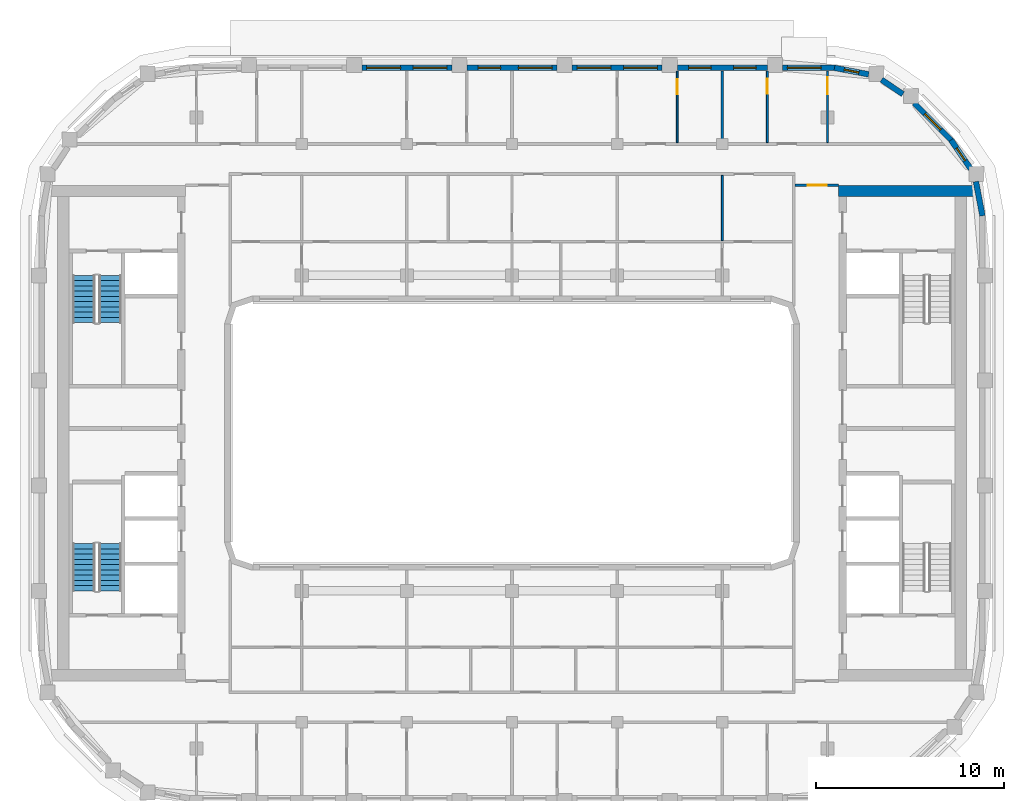
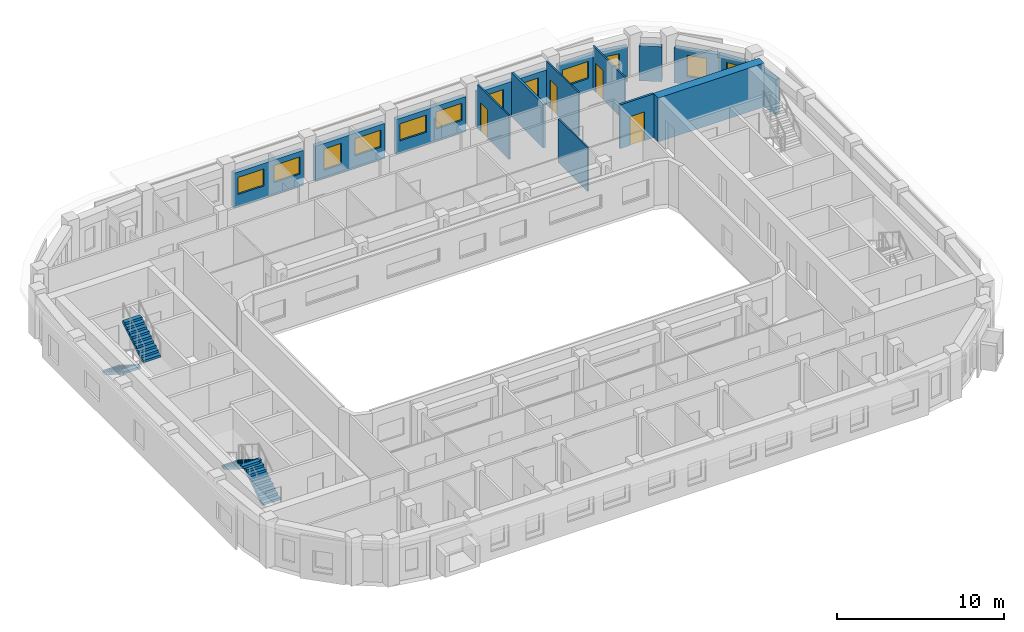
# One storey, part 8 of 16: 17 walls, 12 windows, 4 doors, 4 stair flights, 16 openings, 2 elements without a shape of their own.
"""IFC4 building model written with IfcOpenShell, lengths in metres."""

from ifc_helpers import new_model, si_unit, direction, frame, frame_2d, origin, place, context, subcontext, project, spatial, polyline, rectangle, outline, extrude, material, layer, layer_set, type_object, element, fill, aggregate, save


model = new_model("IFC4")

# Units and contexts
model_context = context("Model", 3, precision=1e-05, world=origin(), true_north=direction((0.0, 1.0)))
body_context = subcontext(model_context, "Body", "Model", "MODEL_VIEW")
ifc_project = project(units=[si_unit("LENGTHUNIT", "METRE"), si_unit("AREAUNIT", "SQUARE_METRE"), si_unit("VOLUMEUNIT", "CUBIC_METRE"), si_unit("PLANEANGLEUNIT", "RADIAN"), si_unit("MASSUNIT", "GRAM", prefix="KILO")], contexts=[model_context])

# Site, building, storey
site_placement = place(None, origin())
site = spatial("IfcSite", under=ifc_project, at=site_placement, CompositionType="ELEMENT")
building_placement = place(site_placement, origin())
building = spatial("IfcBuilding", under=site, at=building_placement, Name="Kiln Ring Residences", CompositionType="ELEMENT")
storey_placement = place(building_placement, frame((0.0, 0.0, 255.699951171875)))
storey = spatial("IfcBuildingStorey", under=building, at=storey_placement, Name="L66", CompositionType="ELEMENT", Elevation=255.699951171875)

# Walls
ifc_material_1 = material(Name="Concrete C60/75", Category="concrete")
ifc_layer_1 = layer(ifc_material_1, 0.60009765625)
ifc_layer_set_1 = layer_set([ifc_layer_1], Name="CORE-WALL-RC600")
wall_type_1 = type_object("IfcWallType", Name="CORE-WALL-RC600", PredefinedType="SHEAR", material=ifc_layer_set_1)
wall_1_placement = place(storey_placement, frame((17.39990234375, 12.89990234375, 0.0), z_axis=(0.0, 0.0, 1.0), x_axis=(1.0, 0.0, 0.0)))
element("IfcWall", 1, at=wall_1_placement, inside=storey, type_object=wall_type_1, Name="Core wall east L66 4", PredefinedType="SHEAR", context=body_context, shape_type="SweptSolid", body=[
    extrude(rectangle(XDim=7.320068359375, YDim=0.60009765625, at=frame_2d((3.66015625, 0.0))), origin(), (0.0, 0.0, 1.0), 3.199951171875),
])
ifc_material_2 = material(Name="Brick masonry, dark clay brick", Category="masonry")
ifc_layer_2 = layer(ifc_material_2, 0.300048828125)
ifc_layer_set_2 = layer_set([ifc_layer_2], Name="EW-300 BRICK WALL")
wall_type_2 = type_object("IfcWallType", Name="EW-300 BRICK WALL", PredefinedType="SOLIDWALL", material=ifc_layer_set_2)
wall_2_placement = place(storey_placement, frame((25.052734375, 11.57177734375, 0.0), z_axis=(0.0, 0.0, 1.0), x_axis=(-0.187408222942, 0.982282117303, 0.0)))
element("IfcWall", 2, at=wall_2_placement, inside=storey, type_object=wall_type_2, Name="Facade wall L66 21", PredefinedType="SOLIDWALL", context=body_context, shape_type="SweptSolid", body=[
    extrude(rectangle(XDim=1.8564453125, YDim=0.300048828125, at=frame_2d((0.92822265625, 0.0))), origin(), (0.0, 0.0, 1.0), 2.550048828125),
])

# Wall, opening, window
wall_3_placement = place(storey_placement, frame((24.422119140625, 14.07763671875, 0.0), z_axis=(0.0, 0.0, 1.0), x_axis=(-0.562054549384, 0.827100165347, 0.0)))
wall_3 = element("IfcWall", 3, at=wall_3_placement, inside=storey, type_object=wall_type_2, Name="Facade wall L66 22", PredefinedType="SOLIDWALL", context=body_context, shape_type="SweptSolid", body=[
    extrude(rectangle(XDim=1.85595703125, YDim=0.300048828125, at=frame_2d((0.927978515625, 0.0))), origin(), (0.0, 0.0, 1.0), 2.550048828125),
])
opening_1_placement = place(wall_3_placement, frame((0.528076171875, 0.0, 0.60009765625)))
opening_1 = element("IfcOpeningElement", 4, at=opening_1_placement, cuts=wall_3, Name="Opening W5", PredefinedType="OPENING", context=body_context, shape_type="SweptSolid", body=[
    extrude(rectangle(XDim=0.800048828125, YDim=1.550048828125, at=frame_2d((0.39990234375, 0.77490234375))), frame((0.0, 0.159912109375, 0.0), z_axis=(0.0, -1.0, 0.0), x_axis=(1.0, 0.0, 0.0)), (0.0, 0.0, 1.0), 0.320068359375),
])
ifc_material_3 = material(Name="Aluminium frame with double glazing", Category="aluminium")
window_type_1 = type_object("IfcWindowType", Name="WINDOW 800 x 1550", PartitioningType="SINGLE_PANEL", PredefinedType="WINDOW", material=ifc_material_3)
window_1_placement = place(opening_1_placement, origin())
window_1 = element("IfcWindow", 5, at=window_1_placement, inside=storey, type_object=window_type_1, Name="Window L66 18", OverallHeight=1.550048828125, OverallWidth=0.800048828125, PartitioningType="SINGLE_PANEL", PredefinedType="WINDOW", context=body_context, shape_type="SweptSolid", body=[
    extrude(rectangle(XDim=0.800048828125, YDim=1.550048828125, at=frame_2d((0.39990234375, 0.77490234375))), frame((0.0, 0.030029296875, 0.0), z_axis=(0.0, -1.0, 0.0), x_axis=(1.0, 0.0, 0.0)), (0.0, 0.0, 1.0), 0.06005859375),
])
fill(opening_1, window_1)

wall_4_placement = place(storey_placement, frame((23.39697265625, 15.591064453125, 0.0), z_axis=(0.0, 0.0, 1.0), x_axis=(-0.707150377276, 0.707063182409, 0.0)))
wall_4 = element("IfcWall", 6, at=wall_4_placement, inside=storey, type_object=wall_type_2, Name="Facade wall L66 23", PredefinedType="SOLIDWALL", context=body_context, shape_type="SweptSolid", body=[
    extrude(rectangle(XDim=2.800048828125, YDim=0.300048828125, at=frame_2d((1.39990234375, 0.0))), origin(), (0.0, 0.0, 1.0), 2.550048828125),
])
opening_2_placement = place(wall_4_placement, frame((0.800048828125, 0.0, 0.60009765625)))
opening_2 = element("IfcOpeningElement", 7, at=opening_2_placement, cuts=wall_4, Name="Opening W1", PredefinedType="OPENING", context=body_context, shape_type="SweptSolid", body=[
    extrude(rectangle(XDim=1.199951171875, YDim=1.550048828125, at=frame_2d((0.60009765625, 0.77490234375))), frame((0.0, 0.159912109375, 0.0), z_axis=(0.0, -1.0, 0.0), x_axis=(1.0, 0.0, 0.0)), (0.0, 0.0, 1.0), 0.320068359375),
])
ifc_material_4 = material(Name="Aluminium frame with double glazing", Category="aluminium")
window_type_2 = type_object("IfcWindowType", Name="WINDOW 1200 x 1550", PartitioningType="SINGLE_PANEL", PredefinedType="WINDOW", material=ifc_material_4)
window_2_placement = place(opening_2_placement, origin())
window_2 = element("IfcWindow", 8, at=window_2_placement, inside=storey, type_object=window_type_2, Name="Window L66 19", OverallHeight=1.550048828125, OverallWidth=1.199951171875, PartitioningType="SINGLE_PANEL", PredefinedType="WINDOW", context=body_context, shape_type="SweptSolid", body=[
    extrude(rectangle(XDim=1.199951171875, YDim=1.550048828125, at=frame_2d((0.60009765625, 0.77490234375))), frame((0.0, 0.030029296875, 0.0), z_axis=(0.0, -1.0, 0.0), x_axis=(1.0, 0.0, 0.0)), (0.0, 0.0, 1.0), 0.06005859375),
])
fill(opening_2, window_2)

# Wall
wall_5_placement = place(storey_placement, frame((20.816650390625, 18.048095703125, 0.0), z_axis=(0.0, 0.0, 1.0), x_axis=(-0.827025410886, 0.562164539747, 0.0)))
element("IfcWall", 9, at=wall_5_placement, inside=storey, type_object=wall_type_2, Name="Facade wall L66 24", PredefinedType="SOLIDWALL", context=body_context, shape_type="SweptSolid", body=[
    extrude(rectangle(XDim=1.377197265625, YDim=0.300048828125, at=frame_2d((0.6884765625, 0.0))), origin(), (0.0, 0.0, 1.0), 2.550048828125),
])

# Wall, opening, window
wall_6_placement = place(storey_placement, frame((18.9951171875, 19.10498046875, 0.0), z_axis=(0.0, 0.0, 1.0), x_axis=(-0.982301706131, 0.187305520826, 0.0)))
wall_6 = element("IfcWall", 10, at=wall_6_placement, inside=storey, type_object=wall_type_2, Name="Facade wall L66 25", PredefinedType="SOLIDWALL", context=body_context, shape_type="SweptSolid", body=[
    extrude(rectangle(XDim=1.856201171875, YDim=0.300048828125, at=frame_2d((0.92822265625, 0.0))), origin(), (0.0, 0.0, 1.0), 2.550048828125),
])
opening_3_placement = place(wall_6_placement, frame((0.528076171875, 0.0, 0.60009765625)))
opening_3 = element("IfcOpeningElement", 11, at=opening_3_placement, cuts=wall_6, Name="Opening W5", PredefinedType="OPENING", context=body_context, shape_type="SweptSolid", body=[
    extrude(rectangle(XDim=0.800048828125, YDim=1.550048828125, at=frame_2d((0.39990234375, 0.77490234375))), frame((0.0, 0.159912109375, 0.0), z_axis=(0.0, -1.0, 0.0), x_axis=(1.0, 0.0, 0.0)), (0.0, 0.0, 1.0), 0.320068359375),
])
window_3_placement = place(opening_3_placement, origin())
window_3 = element("IfcWindow", 12, at=window_3_placement, inside=storey, type_object=window_type_1, Name="Window L66 20", OverallHeight=1.550048828125, OverallWidth=0.800048828125, PartitioningType="SINGLE_PANEL", PredefinedType="WINDOW", context=body_context, shape_type="SweptSolid", body=[
    extrude(rectangle(XDim=0.800048828125, YDim=1.550048828125, at=frame_2d((0.39990234375, 0.77490234375))), frame((0.0, 0.030029296875, 0.0), z_axis=(0.0, -1.0, 0.0), x_axis=(1.0, 0.0, 0.0)), (0.0, 0.0, 1.0), 0.06005859375),
])
fill(opening_3, window_3)

wall_7_placement = place(storey_placement, frame((17.199951171875, 19.449951171875, 0.0), z_axis=(0.0, 0.0, 1.0), x_axis=(-1.0, 0.0, 0.0)))
wall_7 = element("IfcWall", 13, at=wall_7_placement, inside=storey, type_object=wall_type_2, Name="Facade wall L66 26", PredefinedType="SOLIDWALL", context=body_context, shape_type="SweptSolid", body=[
    extrude(rectangle(XDim=2.800048828125, YDim=0.300048828125, at=frame_2d((1.39990234375, 0.0))), origin(), (0.0, 0.0, 1.0), 2.550048828125),
])
opening_4_placement = place(wall_7_placement, frame((0.737548828125, 0.0, 0.89990234375)))
opening_4 = element("IfcOpeningElement", 14, at=opening_4_placement, cuts=wall_7, Name="Opening W2", PredefinedType="OPENING", context=body_context, shape_type="SweptSolid", body=[
    extrude(rectangle(XDim=1.800048828125, YDim=1.25, at=frame_2d((0.89990234375, 0.625))), frame((0.0, 0.159912109375, 0.0), z_axis=(0.0, -1.0, 0.0), x_axis=(1.0, 0.0, 0.0)), (0.0, 0.0, 1.0), 0.320068359375),
])
ifc_material_5 = material(Name="Aluminium frame with double glazing", Category="aluminium")
window_type_3 = type_object("IfcWindowType", Name="WINDOW 1800 x 1250", PartitioningType="SINGLE_PANEL", PredefinedType="WINDOW", material=ifc_material_5)
window_4_placement = place(opening_4_placement, origin())
window_4 = element("IfcWindow", 15, at=window_4_placement, inside=storey, type_object=window_type_3, Name="Window L66 21", OverallHeight=1.25, OverallWidth=1.800048828125, PartitioningType="SINGLE_PANEL", PredefinedType="WINDOW", context=body_context, shape_type="SweptSolid", body=[
    extrude(rectangle(XDim=1.800048828125, YDim=1.25, at=frame_2d((0.89990234375, 0.625))), frame((0.0, 0.030029296875, 0.0), z_axis=(0.0, -1.0, 0.0), x_axis=(1.0, 0.0, 0.0)), (0.0, 0.0, 1.0), 0.06005859375),
])
fill(opening_4, window_4)

# Wall, openings, windows
wall_8_placement = place(storey_placement, frame((13.60009765625, 19.449951171875, 0.0), z_axis=(0.0, 0.0, 1.0), x_axis=(-1.0, 0.0, 0.0)))
wall_8 = element("IfcWall", 16, at=wall_8_placement, inside=storey, type_object=wall_type_2, Name="Facade wall L66 27", PredefinedType="SOLIDWALL", context=body_context, shape_type="SweptSolid", body=[
    extrude(rectangle(XDim=4.800048828125, YDim=0.300048828125, at=frame_2d((2.39990234375, 0.0))), origin(), (0.0, 0.0, 1.0), 2.550048828125),
])
opening_5_placement = place(wall_8_placement, frame((0.60009765625, 0.0, 0.60009765625)))
opening_5 = element("IfcOpeningElement", 17, at=opening_5_placement, cuts=wall_8, Name="Opening W1", PredefinedType="OPENING", context=body_context, shape_type="SweptSolid", body=[
    extrude(rectangle(XDim=1.199951171875, YDim=1.550048828125, at=frame_2d((0.60009765625, 0.77490234375))), frame((0.0, 0.159912109375, 0.0), z_axis=(0.0, -1.0, 0.0), x_axis=(1.0, 0.0, 0.0)), (0.0, 0.0, 1.0), 0.320068359375),
])
opening_6_placement = place(wall_8_placement, frame((3.0, 0.0, 0.60009765625)))
opening_6 = element("IfcOpeningElement", 18, at=opening_6_placement, cuts=wall_8, Name="Opening W1", PredefinedType="OPENING", context=body_context, shape_type="SweptSolid", body=[
    extrude(rectangle(XDim=1.199951171875, YDim=1.550048828125, at=frame_2d((0.60009765625, 0.77490234375))), frame((0.0, 0.159912109375, 0.0), z_axis=(0.0, -1.0, 0.0), x_axis=(1.0, 0.0, 0.0)), (0.0, 0.0, 1.0), 0.320068359375),
])
window_5_placement = place(opening_5_placement, origin())
window_5 = element("IfcWindow", 19, at=window_5_placement, inside=storey, type_object=window_type_2, Name="Window L66 22", OverallHeight=1.550048828125, OverallWidth=1.199951171875, PartitioningType="SINGLE_PANEL", PredefinedType="WINDOW", context=body_context, shape_type="SweptSolid", body=[
    extrude(rectangle(XDim=1.199951171875, YDim=1.550048828125, at=frame_2d((0.60009765625, 0.77490234375))), frame((0.0, 0.030029296875, 0.0), z_axis=(0.0, -1.0, 0.0), x_axis=(1.0, 0.0, 0.0)), (0.0, 0.0, 1.0), 0.06005859375),
])
fill(opening_5, window_5)
window_6_placement = place(opening_6_placement, origin())
window_6 = element("IfcWindow", 20, at=window_6_placement, inside=storey, type_object=window_type_2, Name="Window L66 23", OverallHeight=1.550048828125, OverallWidth=1.199951171875, PartitioningType="SINGLE_PANEL", PredefinedType="WINDOW", context=body_context, shape_type="SweptSolid", body=[
    extrude(rectangle(XDim=1.199951171875, YDim=1.550048828125, at=frame_2d((0.60009765625, 0.77490234375))), frame((0.0, 0.030029296875, 0.0), z_axis=(0.0, -1.0, 0.0), x_axis=(1.0, 0.0, 0.0)), (0.0, 0.0, 1.0), 0.06005859375),
])
fill(opening_6, window_6)

wall_9_placement = place(storey_placement, frame((8.0, 19.449951171875, 0.0), z_axis=(0.0, 0.0, 1.0), x_axis=(-1.0, 0.0, 0.0)))
wall_9 = element("IfcWall", 21, at=wall_9_placement, inside=storey, type_object=wall_type_2, Name="Facade wall L66 28", PredefinedType="SOLIDWALL", context=body_context, shape_type="SweptSolid", body=[
    extrude(rectangle(XDim=4.800048828125, YDim=0.300048828125, at=frame_2d((2.39990234375, 0.0))), origin(), (0.0, 0.0, 1.0), 2.550048828125),
])
opening_7_placement = place(wall_9_placement, frame((0.262451171875, 0.0, 0.89990234375)))
opening_7 = element("IfcOpeningElement", 22, at=opening_7_placement, cuts=wall_9, Name="Opening W2", PredefinedType="OPENING", context=body_context, shape_type="SweptSolid", body=[
    extrude(rectangle(XDim=1.800048828125, YDim=1.25, at=frame_2d((0.89990234375, 0.625))), frame((0.0, 0.159912109375, 0.0), z_axis=(0.0, -1.0, 0.0), x_axis=(1.0, 0.0, 0.0)), (0.0, 0.0, 1.0), 0.320068359375),
])
opening_8_placement = place(wall_9_placement, frame((2.737548828125, 0.0, 0.89990234375)))
opening_8 = element("IfcOpeningElement", 23, at=opening_8_placement, cuts=wall_9, Name="Opening W2", PredefinedType="OPENING", context=body_context, shape_type="SweptSolid", body=[
    extrude(rectangle(XDim=1.800048828125, YDim=1.25, at=frame_2d((0.89990234375, 0.625))), frame((0.0, 0.159912109375, 0.0), z_axis=(0.0, -1.0, 0.0), x_axis=(1.0, 0.0, 0.0)), (0.0, 0.0, 1.0), 0.320068359375),
])
window_7_placement = place(opening_7_placement, origin())
window_7 = element("IfcWindow", 24, at=window_7_placement, inside=storey, type_object=window_type_3, Name="Window L66 24", OverallHeight=1.25, OverallWidth=1.800048828125, PartitioningType="SINGLE_PANEL", PredefinedType="WINDOW", context=body_context, shape_type="SweptSolid", body=[
    extrude(rectangle(XDim=1.800048828125, YDim=1.25, at=frame_2d((0.89990234375, 0.625))), frame((0.0, 0.030029296875, 0.0), z_axis=(0.0, -1.0, 0.0), x_axis=(1.0, 0.0, 0.0)), (0.0, 0.0, 1.0), 0.06005859375),
])
fill(opening_7, window_7)
window_8_placement = place(opening_8_placement, origin())
window_8 = element("IfcWindow", 25, at=window_8_placement, inside=storey, type_object=window_type_3, Name="Window L66 25", OverallHeight=1.25, OverallWidth=1.800048828125, PartitioningType="SINGLE_PANEL", PredefinedType="WINDOW", context=body_context, shape_type="SweptSolid", body=[
    extrude(rectangle(XDim=1.800048828125, YDim=1.25, at=frame_2d((0.89990234375, 0.625))), frame((0.0, 0.030029296875, 0.0), z_axis=(0.0, -1.0, 0.0), x_axis=(1.0, 0.0, 0.0)), (0.0, 0.0, 1.0), 0.06005859375),
])
fill(opening_8, window_8)

wall_10_placement = place(storey_placement, frame((2.39990234375, 19.449951171875, 0.0), z_axis=(0.0, 0.0, 1.0), x_axis=(-1.0, 0.0, 0.0)))
wall_10 = element("IfcWall", 26, at=wall_10_placement, inside=storey, type_object=wall_type_2, Name="Facade wall L66 29", PredefinedType="SOLIDWALL", context=body_context, shape_type="SweptSolid", body=[
    extrude(rectangle(XDim=4.7998046875, YDim=0.300048828125, at=frame_2d((2.39990234375, 0.0))), origin(), (0.0, 0.0, 1.0), 2.550048828125),
])
opening_9_placement = place(wall_10_placement, frame((0.262451171875, 0.0, 0.89990234375)))
opening_9 = element("IfcOpeningElement", 27, at=opening_9_placement, cuts=wall_10, Name="Opening W2", PredefinedType="OPENING", context=body_context, shape_type="SweptSolid", body=[
    extrude(rectangle(XDim=1.800048828125, YDim=1.25, at=frame_2d((0.89990234375, 0.625))), frame((0.0, 0.159912109375, 0.0), z_axis=(0.0, -1.0, 0.0), x_axis=(1.0, 0.0, 0.0)), (0.0, 0.0, 1.0), 0.320068359375),
])
opening_10_placement = place(wall_10_placement, frame((3.0, 0.0, 0.60009765625)))
opening_10 = element("IfcOpeningElement", 28, at=opening_10_placement, cuts=wall_10, Name="Opening W1", PredefinedType="OPENING", context=body_context, shape_type="SweptSolid", body=[
    extrude(rectangle(XDim=1.199951171875, YDim=1.550048828125, at=frame_2d((0.60009765625, 0.77490234375))), frame((0.0, 0.159912109375, 0.0), z_axis=(0.0, -1.0, 0.0), x_axis=(1.0, 0.0, 0.0)), (0.0, 0.0, 1.0), 0.320068359375),
])
window_9_placement = place(opening_10_placement, origin())
window_9 = element("IfcWindow", 29, at=window_9_placement, inside=storey, type_object=window_type_2, Name="Window L66 27", OverallHeight=1.550048828125, OverallWidth=1.199951171875, PartitioningType="SINGLE_PANEL", PredefinedType="WINDOW", context=body_context, shape_type="SweptSolid", body=[
    extrude(rectangle(XDim=1.199951171875, YDim=1.550048828125, at=frame_2d((0.60009765625, 0.77490234375))), frame((0.0, 0.030029296875, 0.0), z_axis=(0.0, -1.0, 0.0), x_axis=(1.0, 0.0, 0.0)), (0.0, 0.0, 1.0), 0.06005859375),
])
fill(opening_10, window_9)
window_10_placement = place(opening_9_placement, origin())
window_10 = element("IfcWindow", 30, at=window_10_placement, inside=storey, type_object=window_type_3, Name="Window L66 26", OverallHeight=1.25, OverallWidth=1.800048828125, PartitioningType="SINGLE_PANEL", PredefinedType="WINDOW", context=body_context, shape_type="SweptSolid", body=[
    extrude(rectangle(XDim=1.800048828125, YDim=1.25, at=frame_2d((0.89990234375, 0.625))), frame((0.0, 0.030029296875, 0.0), z_axis=(0.0, -1.0, 0.0), x_axis=(1.0, 0.0, 0.0)), (0.0, 0.0, 1.0), 0.06005859375),
])
fill(opening_9, window_10)

wall_11_placement = place(storey_placement, frame((-3.199951171875, 19.449951171875, 0.0), z_axis=(0.0, 0.0, 1.0), x_axis=(-1.0, 0.0, 0.0)))
wall_11 = element("IfcWall", 31, at=wall_11_placement, inside=storey, type_object=wall_type_2, Name="Facade wall L66 30", PredefinedType="SOLIDWALL", context=body_context, shape_type="SweptSolid", body=[
    extrude(rectangle(XDim=4.800048828125, YDim=0.300048828125, at=frame_2d((2.39990234375, 0.0))), origin(), (0.0, 0.0, 1.0), 2.550048828125),
])
opening_11_placement = place(wall_11_placement, frame((0.262451171875, 0.0, 0.89990234375)))
opening_11 = element("IfcOpeningElement", 32, at=opening_11_placement, cuts=wall_11, Name="Opening W2", PredefinedType="OPENING", context=body_context, shape_type="SweptSolid", body=[
    extrude(rectangle(XDim=1.800048828125, YDim=1.25, at=frame_2d((0.89990234375, 0.625))), frame((0.0, 0.159912109375, 0.0), z_axis=(0.0, -1.0, 0.0), x_axis=(1.0, 0.0, 0.0)), (0.0, 0.0, 1.0), 0.320068359375),
])
opening_12_placement = place(wall_11_placement, frame((2.737548828125, 0.0, 0.89990234375)))
opening_12 = element("IfcOpeningElement", 33, at=opening_12_placement, cuts=wall_11, Name="Opening W2", PredefinedType="OPENING", context=body_context, shape_type="SweptSolid", body=[
    extrude(rectangle(XDim=1.800048828125, YDim=1.25, at=frame_2d((0.89990234375, 0.625))), frame((0.0, 0.159912109375, 0.0), z_axis=(0.0, -1.0, 0.0), x_axis=(1.0, 0.0, 0.0)), (0.0, 0.0, 1.0), 0.320068359375),
])
window_11_placement = place(opening_11_placement, origin())
window_11 = element("IfcWindow", 34, at=window_11_placement, inside=storey, type_object=window_type_3, Name="Window L66 28", OverallHeight=1.25, OverallWidth=1.800048828125, PartitioningType="SINGLE_PANEL", PredefinedType="WINDOW", context=body_context, shape_type="SweptSolid", body=[
    extrude(rectangle(XDim=1.800048828125, YDim=1.25, at=frame_2d((0.89990234375, 0.625))), frame((0.0, 0.030029296875, 0.0), z_axis=(0.0, -1.0, 0.0), x_axis=(1.0, 0.0, 0.0)), (0.0, 0.0, 1.0), 0.06005859375),
])
fill(opening_11, window_11)
window_12_placement = place(opening_12_placement, origin())
window_12 = element("IfcWindow", 35, at=window_12_placement, inside=storey, type_object=window_type_3, Name="Window L66 29", OverallHeight=1.25, OverallWidth=1.800048828125, PartitioningType="SINGLE_PANEL", PredefinedType="WINDOW", context=body_context, shape_type="SweptSolid", body=[
    extrude(rectangle(XDim=1.800048828125, YDim=1.25, at=frame_2d((0.89990234375, 0.625))), frame((0.0, 0.030029296875, 0.0), z_axis=(0.0, -1.0, 0.0), x_axis=(1.0, 0.0, 0.0)), (0.0, 0.0, 1.0), 0.06005859375),
])
fill(opening_12, window_12)

# Wall, opening, door
ifc_material_6 = material(Name="Gypsum board on steel studs", Category="steel")
ifc_layer_3 = layer(ifc_material_6, 0.10009765625)
ifc_layer_set_3 = layer_set([ifc_layer_3], Name="PARTITION-100")
wall_type_3 = type_object("IfcWallType", Name="PARTITION-100", PredefinedType="PARTITIONING", material=ifc_layer_set_3)
wall_12_placement = place(storey_placement, frame((8.800048828125, 15.47509765625, 0.0), z_axis=(0.0, 0.0, 1.0), x_axis=(0.0, 1.0, 0.0)))
wall_12 = element("IfcWall", 36, at=wall_12_placement, inside=storey, type_object=wall_type_3, Name="Partition 047", PredefinedType="PARTITIONING", context=body_context, shape_type="SweptSolid", body=[
    extrude(rectangle(XDim=3.804931640625, YDim=0.10009765625, at=frame_2d((1.90234375, 0.0))), origin(), (0.0, 0.0, 1.0), 3.199951171875),
])
opening_13_placement = place(wall_12_placement, frame((2.575927734375, 0.0, 0.0)))
opening_13 = element("IfcOpeningElement", 37, at=opening_13_placement, cuts=wall_12, Name="Opening L66-D026", PredefinedType="OPENING", context=body_context, shape_type="SweptSolid", body=[
    extrude(rectangle(XDim=0.800048828125, YDim=2.10009765625, at=frame_2d((0.39990234375, 1.050048828125))), frame((0.0, 0.06005859375, 0.0), z_axis=(0.0, -1.0, 0.0), x_axis=(1.0, 0.0, 0.0)), (0.0, 0.0, 1.0), 0.1201171875),
])
ifc_material_7 = material(Name="Timber door leaf", Category="wood")
door_type_1 = type_object("IfcDoorType", Name="FLAT-DOOR-800-PL", OperationType="SINGLE_SWING_LEFT", PredefinedType="DOOR", material=ifc_material_7)
door_1_placement = place(opening_13_placement, origin())
door_1 = element("IfcDoor", 38, at=door_1_placement, inside=storey, type_object=door_type_1, Name="Door L66-D026", OperationType="SINGLE_SWING_RIGHT", OverallHeight=2.10009765625, OverallWidth=0.800048828125, PredefinedType="DOOR", context=body_context, shape_type="SweptSolid", body=[
    extrude(rectangle(XDim=0.800048828125, YDim=2.10009765625, at=frame_2d((0.39990234375, 1.050048828125))), frame((0.0, 0.02490234375, 0.0), z_axis=(0.0, -1.0, 0.0), x_axis=(1.0, 0.0, 0.0)), (0.0, 0.0, 1.0), 0.050048828125),
])
fill(opening_13, door_1)

# Wall
wall_13_placement = place(storey_placement, frame((11.199951171875, 10.25, 0.0), z_axis=(0.0, 0.0, 1.0), x_axis=(0.0, 1.0, 0.0)))
element("IfcWall", 39, at=wall_13_placement, inside=storey, type_object=wall_type_3, Name="Partition 051", PredefinedType="PARTITIONING", context=body_context, shape_type="SweptSolid", body=[
    extrude(rectangle(XDim=3.47509765625, YDim=0.10009765625, at=frame_2d((1.737548828125, 0.0))), origin(), (0.0, 0.0, 1.0), 3.199951171875),
])

# Wall, opening, door
wall_14_placement = place(storey_placement, frame((13.60009765625, 15.47509765625, 0.0), z_axis=(0.0, 0.0, 1.0), x_axis=(0.0, 1.0, 0.0)))
wall_14 = element("IfcWall", 40, at=wall_14_placement, inside=storey, type_object=wall_type_3, Name="Partition 055", PredefinedType="PARTITIONING", context=body_context, shape_type="SweptSolid", body=[
    extrude(rectangle(XDim=3.804931640625, YDim=0.10009765625, at=frame_2d((1.90234375, 0.0))), origin(), (0.0, 0.0, 1.0), 3.199951171875),
])
opening_14_placement = place(wall_14_placement, frame((2.5849609375, 0.0, 0.0)))
opening_14 = element("IfcOpeningElement", 41, at=opening_14_placement, cuts=wall_14, Name="Opening L66-D029", PredefinedType="OPENING", context=body_context, shape_type="SweptSolid", body=[
    extrude(rectangle(XDim=0.800048828125, YDim=2.10009765625, at=frame_2d((0.39990234375, 1.050048828125))), frame((0.0, 0.06005859375, 0.0), z_axis=(0.0, -1.0, 0.0), x_axis=(1.0, 0.0, 0.0)), (0.0, 0.0, 1.0), 0.1201171875),
])
door_2_placement = place(opening_14_placement, origin())
door_2 = element("IfcDoor", 42, at=door_2_placement, inside=storey, type_object=door_type_1, Name="Door L66-D029", OperationType="SINGLE_SWING_LEFT", OverallHeight=2.10009765625, OverallWidth=0.800048828125, PredefinedType="DOOR", context=body_context, shape_type="SweptSolid", body=[
    extrude(rectangle(XDim=0.800048828125, YDim=2.10009765625, at=frame_2d((0.39990234375, 1.050048828125))), frame((0.0, 0.02490234375, 0.0), z_axis=(0.0, -1.0, 0.0), x_axis=(1.0, 0.0, 0.0)), (0.0, 0.0, 1.0), 0.050048828125),
])
fill(opening_14, door_2)

wall_15_placement = place(storey_placement, frame((16.800048828125, 15.47509765625, 0.0), z_axis=(0.0, 0.0, 1.0), x_axis=(0.0, 1.0, 0.0)))
wall_15 = element("IfcWall", 43, at=wall_15_placement, inside=storey, type_object=wall_type_3, Name="Partition 059", PredefinedType="PARTITIONING", context=body_context, shape_type="SweptSolid", body=[
    extrude(rectangle(XDim=3.804931640625, YDim=0.10009765625, at=frame_2d((1.90234375, 0.0))), origin(), (0.0, 0.0, 1.0), 3.199951171875),
])
opening_15_placement = place(wall_15_placement, frame((2.575927734375, 0.0, 0.0)))
opening_15 = element("IfcOpeningElement", 44, at=opening_15_placement, cuts=wall_15, Name="Opening L66-D030", PredefinedType="OPENING", context=body_context, shape_type="SweptSolid", body=[
    extrude(rectangle(XDim=0.89990234375, YDim=2.10009765625, at=frame_2d((0.449951171875, 1.050048828125))), frame((0.0, 0.06005859375, 0.0), z_axis=(0.0, -1.0, 0.0), x_axis=(1.0, 0.0, 0.0)), (0.0, 0.0, 1.0), 0.1201171875),
])
ifc_material_8 = material(Name="Timber door leaf", Category="wood")
door_type_2 = type_object("IfcDoorType", Name="FLAT-DOOR-900-PL", OperationType="SINGLE_SWING_LEFT", PredefinedType="DOOR", material=ifc_material_8)
door_3_placement = place(opening_15_placement, origin())
door_3 = element("IfcDoor", 45, at=door_3_placement, inside=storey, type_object=door_type_2, Name="Door L66-D030", OperationType="SINGLE_SWING_RIGHT", OverallHeight=2.10009765625, OverallWidth=0.89990234375, PredefinedType="DOOR", context=body_context, shape_type="SweptSolid", body=[
    extrude(rectangle(XDim=0.89990234375, YDim=2.10009765625, at=frame_2d((0.449951171875, 1.050048828125))), frame((0.0, 0.02490234375, 0.0), z_axis=(0.0, -1.0, 0.0), x_axis=(1.0, 0.0, 0.0)), (0.0, 0.0, 1.0), 0.050048828125),
])
fill(opening_15, door_3)

ifc_material_9 = material(Name="Brick masonry partition", Category="masonry")
ifc_layer_4 = layer(ifc_material_9, 0.14990234375)
ifc_layer_set_4 = layer_set([ifc_layer_4], Name="PARTITION-150-ei60")
wall_type_4 = type_object("IfcWallType", Name="PARTITION-150-ei60", PredefinedType="PARTITIONING", material=ifc_layer_set_4)
wall_16_placement = place(storey_placement, frame((15.074951171875, 13.199951171875, 0.0), z_axis=(0.0, 0.0, 1.0), x_axis=(1.0, 0.0, 0.0)))
wall_16 = element("IfcWall", 46, at=wall_16_placement, inside=storey, type_object=wall_type_4, Name="Partition 007", PredefinedType="PARTITIONING", context=body_context, shape_type="SweptSolid", body=[
    extrude(rectangle(XDim=2.324951171875, YDim=0.14990234375, at=frame_2d((1.16259765625, 0.0))), origin(), (0.0, 0.0, 1.0), 3.199951171875),
])
opening_16_placement = place(wall_16_placement, frame((0.675048828125, 0.0, 0.0)))
opening_16 = element("IfcOpeningElement", 47, at=opening_16_placement, cuts=wall_16, Name="Opening L66-D002", PredefinedType="OPENING", context=body_context, shape_type="SweptSolid", body=[
    extrude(rectangle(XDim=1.0, YDim=2.10009765625, at=frame_2d((0.5, 1.050048828125))), frame((0.0, 0.0849609375, 0.0), z_axis=(0.0, -1.0, 0.0), x_axis=(1.0, 0.0, 0.0)), (0.0, 0.0, 1.0), 0.169921875),
])
ifc_material_10 = material(Name="Steel faced fire door leaf", Category="steel")
door_type_3 = type_object("IfcDoorType", Name="FLAT-DOOR-1000-FR", OperationType="SINGLE_SWING_LEFT", PredefinedType="DOOR", material=ifc_material_10)
door_4_placement = place(opening_16_placement, origin())
door_4 = element("IfcDoor", 48, at=door_4_placement, inside=storey, type_object=door_type_3, Name="Door L66-D002", OperationType="SINGLE_SWING_LEFT", OverallHeight=2.10009765625, OverallWidth=1.0, PredefinedType="DOOR", context=body_context, shape_type="SweptSolid", body=[
    extrude(rectangle(XDim=1.0, YDim=2.10009765625, at=frame_2d((0.5, 1.050048828125))), frame((0.0, 0.02490234375, 0.0), z_axis=(0.0, -1.0, 0.0), x_axis=(1.0, 0.0, 0.0)), (0.0, 0.0, 1.0), 0.050048828125),
])
fill(opening_16, door_4)

# Wall
wall_17_placement = place(storey_placement, frame((11.199951171875, 15.47509765625, 0.0), z_axis=(0.0, 0.0, 1.0), x_axis=(0.0, 1.0, 0.0)))
element("IfcWall", 49, at=wall_17_placement, inside=storey, type_object=wall_type_4, Name="Partition 053", PredefinedType="PARTITIONING", context=body_context, shape_type="SweptSolid", body=[
    extrude(rectangle(XDim=3.804931640625, YDim=0.14990234375, at=frame_2d((1.90234375, 0.0))), origin(), (0.0, 0.0, 1.0), 3.199951171875),
])

# Stair, stair flights
ifc_material_11 = material(Name="Concrete C40/50", Category="concrete")
stair_type = type_object("IfcStairType", Name="CORE-STAIR", PredefinedType="HALF_TURN_STAIR", material=ifc_material_11)
placement = place(storey_placement, origin())
stair_1 = element("IfcStair", 50, at=placement, inside=storey, type_object=stair_type, Name="L66 stair W-STN", PredefinedType="HALF_TURN_STAIR")
ifc_material_12 = material(Name="Concrete C40/50", Category="concrete")
stair_flight_type = type_object("IfcStairFlightType", Name="CORE-STAIR-FLIGHT", PredefinedType="STRAIGHT", material=ifc_material_12)
stair_flight_1_placement = place(storey_placement, frame((-22.800048828125, 8.39990234375, 0.0), z_axis=(0.0, 0.0, 1.0), x_axis=(0.0, -1.0, 0.0)))
stair_flight_1 = element("IfcStairFlight", 51, at=stair_flight_1_placement, type_object=stair_flight_type, Name="W-STN flight 1", NumberOfRisers=10, NumberOfTreads=9, PredefinedType="STRAIGHT", RiserHeight=0.175, TreadLength=0.28, context=body_context, shape_type="SweptSolid", body=[
    extrude(outline(polyline([(0.0, 0.0), (0.0, 0.175048828125), (0.280029296875, 0.175048828125), (0.280029296875, 0.35009765625), (0.56005859375, 0.35009765625), (0.56005859375, 0.52490234375), (0.840087890625, 0.52490234375), (0.840087890625, 0.699951171875), (1.1201171875, 0.699951171875), (1.1201171875, 0.875), (1.39990234375, 0.875), (1.39990234375, 1.050048828125), (1.679931640625, 1.050048828125), (1.679931640625, 1.22509765625), (1.9599609375, 1.22509765625), (1.9599609375, 1.39990234375), (2.239990234375, 1.39990234375), (2.239990234375, 1.574951171875), (2.52001953125, 1.574951171875), (2.52001953125, 1.75), (2.52001953125, 1.398193359375), (0.28271484375, 0.0), (0.0, 0.0)])), frame((0.0, 0.60009765625, 0.0), z_axis=(0.0, -1.0, 0.0), x_axis=(1.0, 0.0, 0.0)), (0.0, 0.0, 1.0), 1.199951171875),
])
stair_flight_2_placement = place(storey_placement, frame((-21.39990234375, 5.8798828125, 1.75), z_axis=(0.0, 0.0, 1.0), x_axis=(0.0, 1.0, 0.0)))
stair_flight_2 = element("IfcStairFlight", 52, at=stair_flight_2_placement, type_object=stair_flight_type, Name="W-STN flight 2", NumberOfRisers=10, NumberOfTreads=9, PredefinedType="STRAIGHT", RiserHeight=0.175, TreadLength=0.28, context=body_context, shape_type="SweptSolid", body=[
    extrude(outline(polyline([(0.0, 0.0), (0.0, 0.175048828125), (0.280029296875, 0.175048828125), (0.280029296875, 0.35009765625), (0.56005859375, 0.35009765625), (0.56005859375, 0.52490234375), (0.840087890625, 0.52490234375), (0.840087890625, 0.699951171875), (1.1201171875, 0.699951171875), (1.1201171875, 0.875), (1.39990234375, 0.875), (1.39990234375, 1.050048828125), (1.679931640625, 1.050048828125), (1.679931640625, 1.22509765625), (1.9599609375, 1.22509765625), (1.9599609375, 1.39990234375), (2.239990234375, 1.39990234375), (2.239990234375, 1.574951171875), (2.52001953125, 1.574951171875), (2.52001953125, 1.75), (2.52001953125, 1.398193359375), (0.28271484375, 0.0), (0.0, 0.0)])), frame((0.0, 0.60009765625, 0.0), z_axis=(0.0, -1.0, 0.0), x_axis=(1.0, 0.0, 0.0)), (0.0, 0.0, 1.0), 1.199951171875),
])
aggregate(stair_1, [stair_flight_1, stair_flight_2])

stair_2 = element("IfcStair", 53, at=placement, inside=storey, type_object=stair_type, Name="L66 stair W-STS", PredefinedType="HALF_TURN_STAIR")
stair_flight_3_placement = place(storey_placement, frame((-21.39990234375, -8.39990234375, 0.0), z_axis=(0.0, 0.0, 1.0), x_axis=(0.0, 1.0, 0.0)))
stair_flight_3 = element("IfcStairFlight", 54, at=stair_flight_3_placement, type_object=stair_flight_type, Name="W-STS flight 1", NumberOfRisers=10, NumberOfTreads=9, PredefinedType="STRAIGHT", RiserHeight=0.175, TreadLength=0.28, context=body_context, shape_type="SweptSolid", body=[
    extrude(outline(polyline([(0.0, 0.0), (0.0, 0.175048828125), (0.280029296875, 0.175048828125), (0.280029296875, 0.35009765625), (0.56005859375, 0.35009765625), (0.56005859375, 0.52490234375), (0.840087890625, 0.52490234375), (0.840087890625, 0.699951171875), (1.1201171875, 0.699951171875), (1.1201171875, 0.875), (1.39990234375, 0.875), (1.39990234375, 1.050048828125), (1.679931640625, 1.050048828125), (1.679931640625, 1.22509765625), (1.9599609375, 1.22509765625), (1.9599609375, 1.39990234375), (2.239990234375, 1.39990234375), (2.239990234375, 1.574951171875), (2.52001953125, 1.574951171875), (2.52001953125, 1.75), (2.52001953125, 1.398193359375), (0.28271484375, 0.0), (0.0, 0.0)])), frame((0.0, 0.60009765625, 0.0), z_axis=(0.0, -1.0, 0.0), x_axis=(1.0, 0.0, 0.0)), (0.0, 0.0, 1.0), 1.199951171875),
])
stair_flight_4_placement = place(storey_placement, frame((-22.800048828125, -5.8798828125, 1.75), z_axis=(0.0, 0.0, 1.0), x_axis=(0.0, -1.0, 0.0)))
stair_flight_4 = element("IfcStairFlight", 55, at=stair_flight_4_placement, type_object=stair_flight_type, Name="W-STS flight 2", NumberOfRisers=10, NumberOfTreads=9, PredefinedType="STRAIGHT", RiserHeight=0.175, TreadLength=0.28, context=body_context, shape_type="SweptSolid", body=[
    extrude(outline(polyline([(0.0, 0.0), (0.0, 0.175048828125), (0.280029296875, 0.175048828125), (0.280029296875, 0.35009765625), (0.56005859375, 0.35009765625), (0.56005859375, 0.52490234375), (0.840087890625, 0.52490234375), (0.840087890625, 0.699951171875), (1.1201171875, 0.699951171875), (1.1201171875, 0.875), (1.39990234375, 0.875), (1.39990234375, 1.050048828125), (1.679931640625, 1.050048828125), (1.679931640625, 1.22509765625), (1.9599609375, 1.22509765625), (1.9599609375, 1.39990234375), (2.239990234375, 1.39990234375), (2.239990234375, 1.574951171875), (2.52001953125, 1.574951171875), (2.52001953125, 1.75), (2.52001953125, 1.398193359375), (0.28271484375, 0.0), (0.0, 0.0)])), frame((0.0, 0.60009765625, 0.0), z_axis=(0.0, -1.0, 0.0), x_axis=(1.0, 0.0, 0.0)), (0.0, 0.0, 1.0), 1.199951171875),
])
aggregate(stair_2, [stair_flight_3, stair_flight_4])

save(model, "model.ifc")
